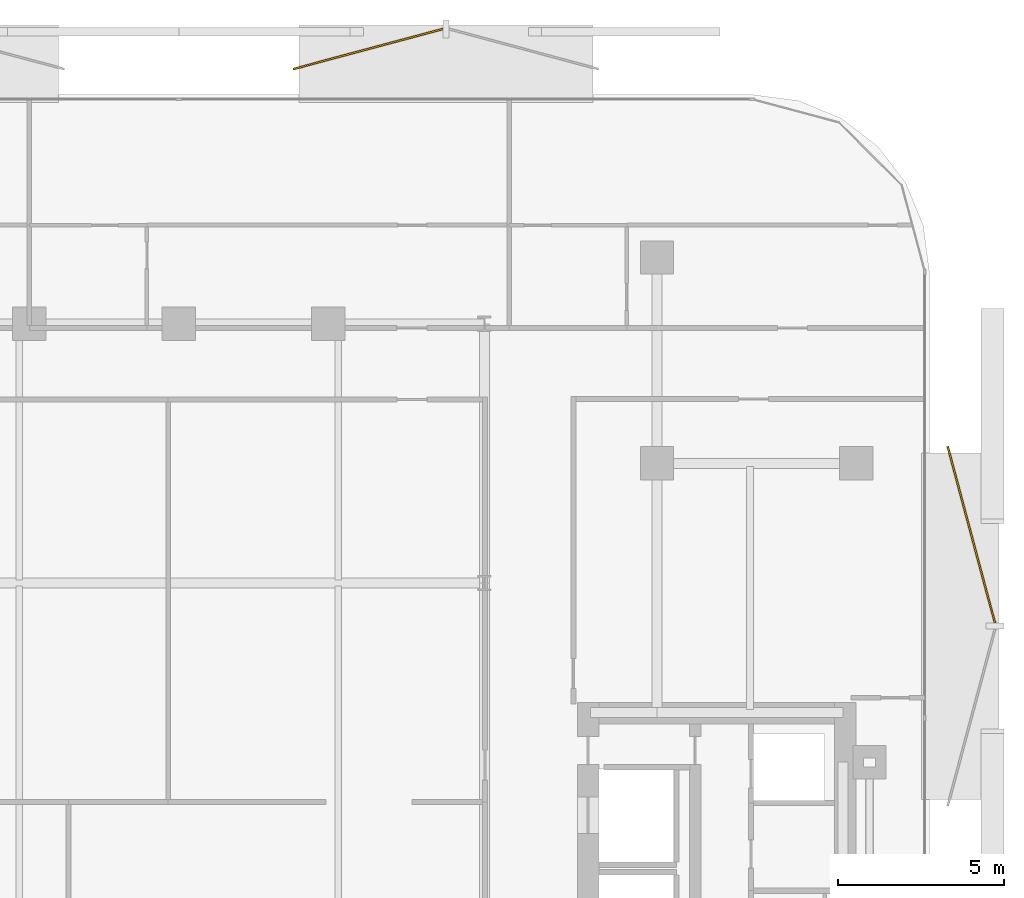
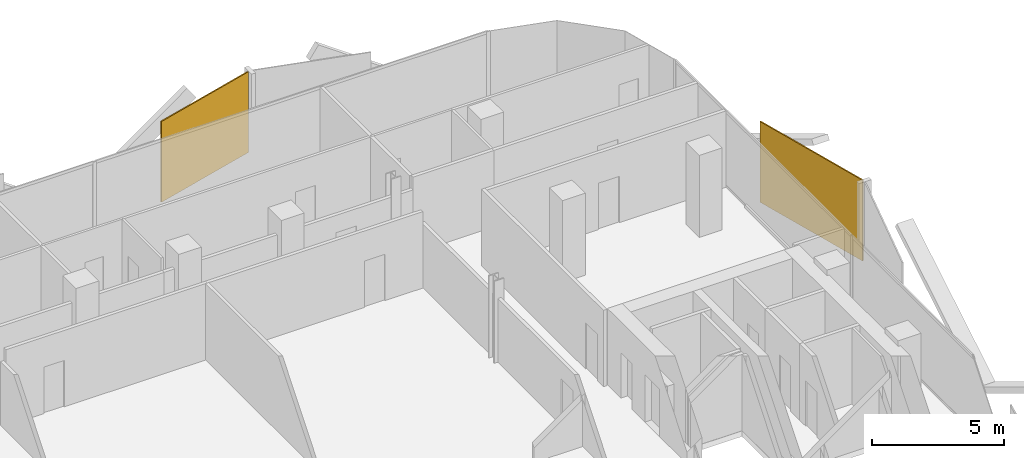
# One storey, part 16 of 16: 2 coverings.
"""IFC4 building model written with IfcOpenShell, lengths in metres."""

from ifc_helpers import new_model, si_unit, direction, frame, origin, origin_2d, place, context, subcontext, project, spatial, rectangle, extrude, material, layer, layer_set, type_object, element, save


model = new_model("IFC4")

# Units and contexts
model_context = context("Model", 3, precision=1e-05, world=origin(), true_north=direction((0.0, 1.0)))
body_context = subcontext(model_context, "Body", "Model", "MODEL_VIEW")
ifc_project = project(units=[si_unit("LENGTHUNIT", "METRE"), si_unit("AREAUNIT", "SQUARE_METRE"), si_unit("VOLUMEUNIT", "CUBIC_METRE"), si_unit("PLANEANGLEUNIT", "RADIAN"), si_unit("MASSUNIT", "GRAM", prefix="KILO")], contexts=[model_context])

# Site, building, storey
site_placement = place(None, origin())
site = spatial("IfcSite", under=ifc_project, at=site_placement, CompositionType="ELEMENT")
building_placement = place(site_placement, origin())
building = spatial("IfcBuilding", under=site, at=building_placement, Name="Khairoan Windgate Tower", CompositionType="ELEMENT")
storey_placement = place(building_placement, frame((0.0, 0.0, 206.800048828125)))
storey = spatial("IfcBuildingStorey", under=building, at=storey_placement, Name="L48", CompositionType="ELEMENT", Elevation=206.800048828125)

# Coverings
ifc_material = material(Name="Anodised Bronze Aluminium 6063-T6", Category="aluminium")
ifc_layer = layer(ifc_material, 0.054931640625, Name="Anodised Bronze Aluminium 6063-T6")
ifc_layer_set = layer_set([ifc_layer], Name="Anodised Bronze Aluminium 6063-T6")
covering_type = type_object("IfcCoveringType", Name="Perforated Bronze-Ceramic Folded Solar Screen Cladding BSC-1", PredefinedType="CLADDING", material=ifc_layer_set)
covering_1_placement = place(storey_placement, frame((5.701904296875, 26.876220703125, -0.10009765625), z_axis=(0.0, 0.0, 1.0), x_axis=(0.965925826289, 0.258819045103, 0.0)))
element("IfcCovering", 1, at=covering_1_placement, inside=storey, type_object=covering_type, Name="L48 Folded Bronze Solar Screen Facet 326L", PredefinedType="CLADDING", context=body_context, shape_type="SweptSolid", body=[
    extrude(rectangle(XDim=4.666015625, YDim=0.054931640625, at=origin_2d()), origin(), (0.0, 0.0, 1.0), 3.739990234375),
])
covering_2_placement = place(storey_placement, frame((23.8671875, 12.2451171875, -0.10009765625), z_axis=(0.0, 0.0, 1.0), x_axis=(0.258819045103, -0.965925826289, 0.0)))
element("IfcCovering", 2, at=covering_2_placement, inside=storey, type_object=covering_type, Name="L48 Folded Bronze Solar Screen Facet 327L", PredefinedType="CLADDING", context=body_context, shape_type="SweptSolid", body=[
    extrude(rectangle(XDim=5.507080078125, YDim=0.054931640625, at=origin_2d()), origin(), (0.0, 0.0, 1.0), 3.739990234375),
])

save(model, "model.ifc")
